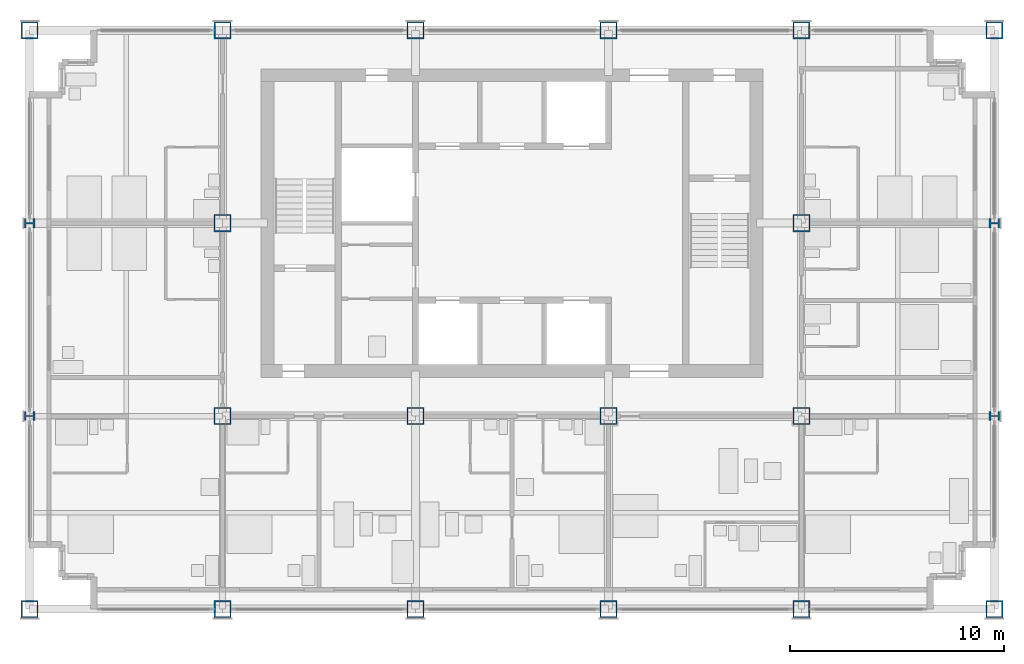
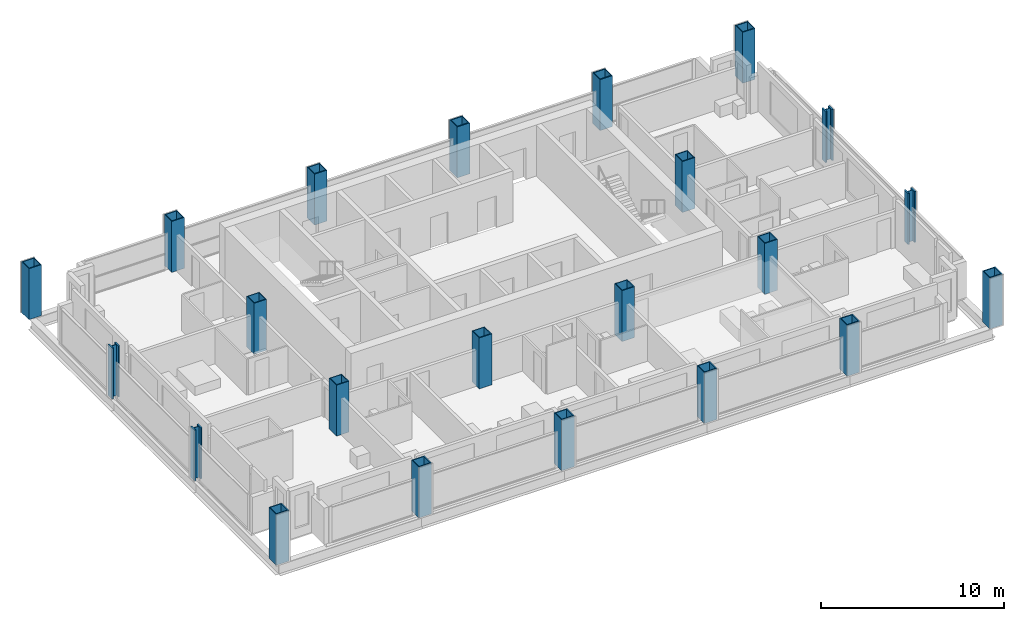
# One storey, part 1 of 13: 22 columns.
"""IFC4 building model written with IfcOpenShell, lengths in metres."""

from ifc_helpers import new_model, si_unit, direction, frame, origin, origin_2d, place, context, subcontext, project, spatial, hollow_rectangle, i_section, extrude, material, material_profile, profile_set, type_object, element, save


model = new_model("IFC4")

# Units and contexts
model_context = context("Model", 3, precision=1e-05, world=origin(), true_north=direction((0.0, 1.0)))
body_context = subcontext(model_context, "Body", "Model", "MODEL_VIEW")
ifc_project = project(units=[si_unit("LENGTHUNIT", "METRE"), si_unit("AREAUNIT", "SQUARE_METRE"), si_unit("VOLUMEUNIT", "CUBIC_METRE"), si_unit("PLANEANGLEUNIT", "RADIAN"), si_unit("MASSUNIT", "GRAM", prefix="KILO")], contexts=[model_context])

# Site, building, storey
site_placement = place(None, origin())
site = spatial("IfcSite", under=ifc_project, at=site_placement, CompositionType="ELEMENT")
building_placement = place(site_placement, origin())
building = spatial("IfcBuilding", under=site, at=building_placement, Name="Loomwork Tower", CompositionType="ELEMENT")
storey_placement = place(building_placement, frame((0.0, 0.0, 201.199951171875)))
storey = spatial("IfcBuildingStorey", under=building, at=storey_placement, Name="L55", CompositionType="ELEMENT", Elevation=201.199951171875)

# Columns
ifc_material_1 = material(Name="Steel ASTM A572 Grade 50 plate", Category="steel")
ifc_material_profile_1 = material_profile(ifc_material_1, hollow_rectangle(XDim=0.800048828125, YDim=0.800048828125, WallThickness=0.06005859375, at=origin_2d()), Name="BOX800x60")
ifc_profile_set_1 = profile_set([ifc_material_profile_1], Name="Steel ASTM A572 Grade 50 plate")
column_type_1 = type_object("IfcColumnType", Name="EXOSKELETON PIER BOX800x60", PredefinedType="COLUMN", material=ifc_profile_set_1)
for number, where, z_axis, x_axis, name in (
    (1, (0.0, 0.0, 0.0), (0.0, 0.0, 1.0), (1.0, 0.0, 0.0), "Exoskeleton Pier D/2 L55"),
    (2, (0.0, 27.0, 0.0), (0.0, 0.0, 1.0), (0.0, 1.0, 0.0), "Exoskeleton Pier G/2 L55"),
    (3, (9.0, 0.0, 0.0), (0.0, 0.0, 1.0), (1.0, 0.0, 0.0), "Exoskeleton Pier D/3 L55"),
    (4, (9.0, 27.0, 0.0), (0.0, 0.0, 1.0), (1.0, 0.0, 0.0), "Exoskeleton Pier G/3 L55"),
    (5, (18.0, 0.0, 0.0), (0.0, 0.0, 1.0), (1.0, 0.0, 0.0), "Exoskeleton Pier D/4 L55"),
    (6, (18.0, 27.0, 0.0), (0.0, 0.0, 1.0), (1.0, 0.0, 0.0), "Exoskeleton Pier G/4 L55"),
    (7, (27.0, 0.0, 0.0), (0.0, 0.0, 1.0), (1.0, 0.0, 0.0), "Exoskeleton Pier D/5 L55"),
    (8, (27.0, 27.0, 0.0), (0.0, 0.0, 1.0), (1.0, 0.0, 0.0), "Exoskeleton Pier G/5 L55"),
    (9, (36.0, 0.0, 0.0), (0.0, 0.0, 1.0), (1.0, 0.0, 0.0), "Exoskeleton Pier D/6 L55"),
    (10, (36.0, 27.0, 0.0), (0.0, 0.0, 1.0), (1.0, 0.0, 0.0), "Exoskeleton Pier G/6 L55"),
    (11, (45.0, 0.0, 0.0), (0.0, 0.0, 1.0), (1.0, 0.0, 0.0), "Exoskeleton Pier D/7 L55"),
    (12, (45.0, 27.0, 0.0), (0.0, 0.0, 1.0), (0.0, 1.0, 0.0), "Exoskeleton Pier G/7 L55"),
):
    element("IfcColumn", number, at=place(storey_placement, frame(where, z_axis=z_axis, x_axis=x_axis)), inside=storey, type_object=column_type_1, Name=name, PredefinedType="COLUMN", context=body_context, shape_type="SweptSolid", body=[
        extrude(hollow_rectangle(XDim=0.800048828125, YDim=0.800048828125, WallThickness=0.06005859375, at=origin_2d()), origin(), (0.0, 0.0, 1.0), 3.400146484375),
    ])
ifc_material_2 = material(Name="Steel ASTM A992", Category="steel")
ifc_material_profile_2 = material_profile(ifc_material_2, i_section(OverallWidth=0.4267578125, OverallDepth=0.482666015625, WebThickness=0.05126953125, FlangeThickness=0.08154296875, at=origin_2d()), Name="W14x455")
ifc_profile_set_2 = profile_set([ifc_material_profile_2], Name="Steel ASTM A992")
column_type_2 = type_object("IfcColumnType", Name="EXOSKELETON PIER W14x455", PredefinedType="COLUMN", material=ifc_profile_set_2)
for number, where, z_axis, x_axis, name in (
    (13, (0.0, 9.0, 0.0), (0.0, 0.0, 1.0), (0.0, 1.0, 0.0), "Exoskeleton Pier E/2 L55"),
    (14, (0.0, 18.0, 0.0), (0.0, 0.0, 1.0), (0.0, 1.0, 0.0), "Exoskeleton Pier F/2 L55"),
    (15, (45.0, 9.0, 0.0), (0.0, 0.0, 1.0), (0.0, 1.0, 0.0), "Exoskeleton Pier E/7 L55"),
    (16, (45.0, 18.0, 0.0), (0.0, 0.0, 1.0), (0.0, 1.0, 0.0), "Exoskeleton Pier F/7 L55"),
):
    element("IfcColumn", number, at=place(storey_placement, frame(where, z_axis=z_axis, x_axis=x_axis)), inside=storey, type_object=column_type_2, Name=name, PredefinedType="COLUMN", context=body_context, shape_type="SweptSolid", body=[
        extrude(i_section(OverallWidth=0.4267578125, OverallDepth=0.482666015625, WebThickness=0.05126953125, FlangeThickness=0.08154296875, at=origin_2d()), origin(), (0.0, 0.0, 1.0), 3.400146484375),
    ])
ifc_material_3 = material(Name="Steel ASTM A572 Grade 50 plate", Category="steel")
ifc_material_profile_3 = material_profile(ifc_material_3, hollow_rectangle(XDim=0.800048828125, YDim=0.800048828125, WallThickness=0.050048828125, at=origin_2d()), Name="BOX800x50")
ifc_profile_set_3 = profile_set([ifc_material_profile_3], Name="Steel ASTM A572 Grade 50 plate")
column_type_3 = type_object("IfcColumnType", Name="TOWER COLUMN BOX800x50", PredefinedType="COLUMN", material=ifc_profile_set_3)
for number, where, z_axis, x_axis, name in (
    (17, (9.0, 9.0, 0.0), (0.0, 0.0, 1.0), (1.0, 0.0, 0.0), "Tower Column E/3 L55"),
    (18, (9.0, 18.0, 0.0), (0.0, 0.0, 1.0), (1.0, 0.0, 0.0), "Tower Column F/3 L55"),
    (19, (18.0, 9.0, 0.0), (0.0, 0.0, 1.0), (1.0, 0.0, 0.0), "Tower Column E/4 L55"),
    (20, (27.0, 9.0, 0.0), (0.0, 0.0, 1.0), (1.0, 0.0, 0.0), "Tower Column E/5 L55"),
    (21, (36.0, 9.0, 0.0), (0.0, 0.0, 1.0), (0.0, 1.0, 0.0), "Tower Column E/6 L55"),
    (22, (36.0, 18.0, 0.0), (0.0, 0.0, 1.0), (0.0, 1.0, 0.0), "Tower Column F/6 L55"),
):
    element("IfcColumn", number, at=place(storey_placement, frame(where, z_axis=z_axis, x_axis=x_axis)), inside=storey, type_object=column_type_3, Name=name, PredefinedType="COLUMN", context=body_context, shape_type="SweptSolid", body=[
        extrude(hollow_rectangle(XDim=0.800048828125, YDim=0.800048828125, WallThickness=0.050048828125, at=origin_2d()), origin(), (0.0, 0.0, 1.0), 3.400146484375),
    ])

save(model, "model.ifc")
